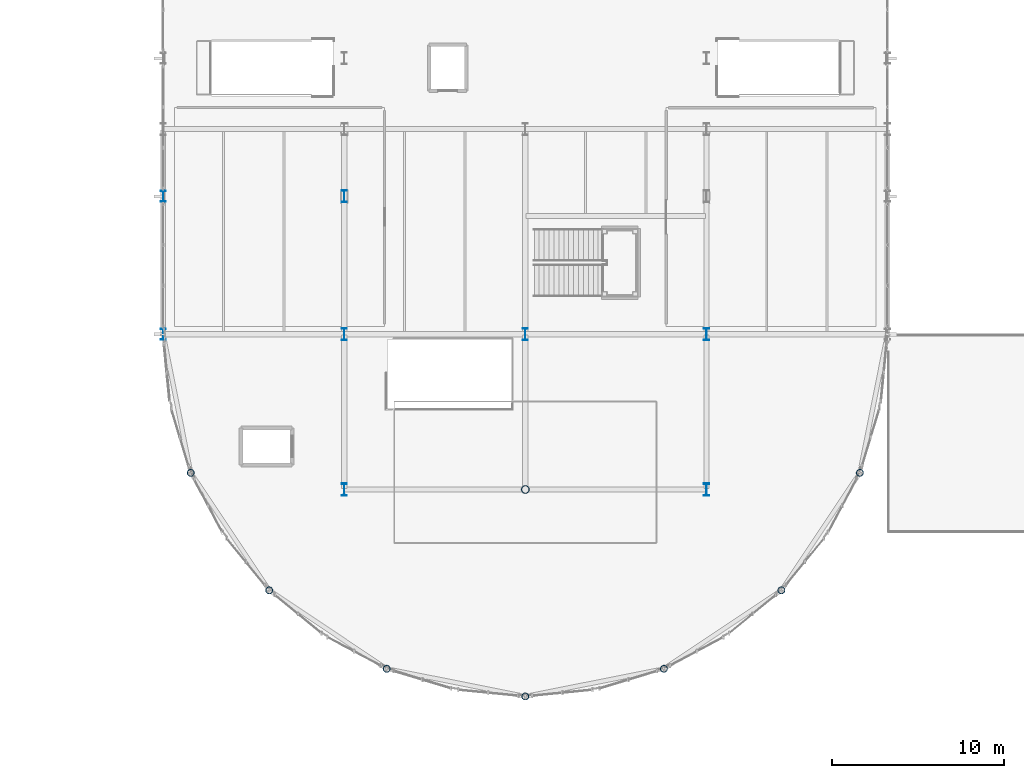
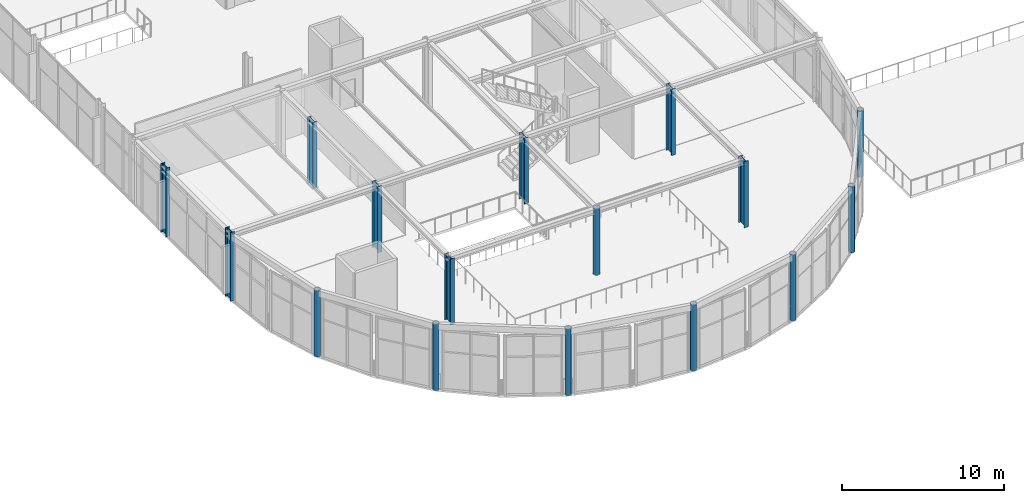
# One storey, part 1 of 195: 16 columns.
"""IFC4 building model written with IfcOpenShell, lengths in metres."""

from ifc_helpers import new_model, si_unit, direction, frame, origin, origin_2d, place, context, subcontext, project, spatial, hollow_circle, i_section, extrude, material, material_profile, profile_set, type_object, element, save


model = new_model("IFC4")

# Units and contexts
model_context = context("Model", 3, precision=1e-05, world=origin(), true_north=direction((0.0, 1.0)))
body_context = subcontext(model_context, "Body", "Model", "MODEL_VIEW")
ifc_project = project(units=[si_unit("LENGTHUNIT", "METRE"), si_unit("AREAUNIT", "SQUARE_METRE"), si_unit("VOLUMEUNIT", "CUBIC_METRE"), si_unit("PLANEANGLEUNIT", "RADIAN"), si_unit("MASSUNIT", "GRAM", prefix="KILO")], contexts=[model_context])

# Site, building, storey
site_placement = place(None, origin())
site = spatial("IfcSite", under=ifc_project, at=site_placement, CompositionType="ELEMENT")
building_placement = place(site_placement, origin())
building = spatial("IfcBuilding", under=site, at=building_placement, Name="Marlcrest Central Station", CompositionType="ELEMENT")
storey_placement = place(building_placement, frame((0.0, 0.0, 9.800048828125)))
storey = spatial("IfcBuildingStorey", under=building, at=storey_placement, Name="L02", CompositionType="ELEMENT", Elevation=9.800048828125)

# Columns
ifc_material = material(Name="Steel S355", Category="steel")
ifc_material_profile_1 = material_profile(ifc_material, i_section(OverallWidth=0.300048828125, OverallDepth=0.64990234375, WebThickness=0.01611328125, FlangeThickness=0.031005859375, FilletRadius=0.027099609375, at=origin_2d()), Name="HEB 650")
ifc_profile_set_1 = profile_set([ifc_material_profile_1], Name="Steel S355")
column_type_1 = type_object("IfcColumnType", Name="SC-06", PredefinedType="COLUMN", material=ifc_profile_set_1)
for number, where, z_axis, x_axis, name in (
    (1, (87.0, 22.5, 0.0), (0.0, 0.0, 1.0), (1.0, 0.0, 0.0), "col-SC-06-L02-0677"),
    (2, (87.0, 30.5, 0.0), (0.0, 0.0, 1.0), (1.0, 0.0, 0.0), "col-SC-06-L02-0695"),
):
    element("IfcColumn", number, at=place(storey_placement, frame(where, z_axis=z_axis, x_axis=x_axis)), inside=storey, type_object=column_type_1, Name=name, PredefinedType="COLUMN", context=body_context, shape_type="SweptSolid", body=[
        extrude(i_section(OverallWidth=0.300048828125, OverallDepth=0.64990234375, WebThickness=0.01611328125, FlangeThickness=0.031005859375, FilletRadius=0.027099609375, at=origin_2d()), origin(), (0.0, 0.0, 1.0), 5.199951171875),
    ])
ifc_material_profile_2 = material_profile(ifc_material, i_section(OverallWidth=0.300048828125, OverallDepth=0.699951171875, WebThickness=0.01708984375, FlangeThickness=0.031982421875, FilletRadius=0.027099609375, at=origin_2d()), Name="HEB 700")
ifc_profile_set_2 = profile_set([ifc_material_profile_2], Name="Steel S355")
column_type_2 = type_object("IfcColumnType", Name="SC-07", PredefinedType="COLUMN", material=ifc_profile_set_2)
for number, where, z_axis, x_axis, name in (
    (3, (97.5, 22.5, 0.0), (0.0, 0.0, 1.0), (1.0, 0.0, 0.0), "col-SC-07-L02-0679"),
    (4, (118.5, 22.5, 0.0), (0.0, 0.0, 1.0), (1.0, 0.0, 0.0), "col-SC-07-L02-0681"),
    (5, (97.5, 30.5, 0.0), (0.0, 0.0, 1.0), (1.0, 0.0, 0.0), "col-SC-07-L02-0697"),
):
    element("IfcColumn", number, at=place(storey_placement, frame(where, z_axis=z_axis, x_axis=x_axis)), inside=storey, type_object=column_type_2, Name=name, PredefinedType="COLUMN", context=body_context, shape_type="SweptSolid", body=[
        extrude(i_section(OverallWidth=0.300048828125, OverallDepth=0.699951171875, WebThickness=0.01708984375, FlangeThickness=0.031982421875, FilletRadius=0.027099609375, at=origin_2d()), origin(), (0.0, 0.0, 1.0), 5.0),
    ])
for number, where, z_axis, x_axis, name in (
    (6, (97.5, 13.5, 0.0), (0.0, 0.0, 1.0), (1.0, 0.0, 0.0), "col-SC-07-L02-0817"),
    (7, (118.5, 13.5, 0.0), (0.0, 0.0, 1.0), (1.0, 0.0, 0.0), "col-SC-07-L02-0825"),
    (8, (108.0, 22.5, 0.0), (0.0, 0.0, 1.0), (1.0, 0.0, 0.0), "col-SC-07-L02-0827"),
):
    element("IfcColumn", number, at=place(storey_placement, frame(where, z_axis=z_axis, x_axis=x_axis)), inside=storey, type_object=column_type_2, Name=name, PredefinedType="COLUMN", context=body_context, shape_type="SweptSolid", body=[
        extrude(i_section(OverallWidth=0.300048828125, OverallDepth=0.699951171875, WebThickness=0.01708984375, FlangeThickness=0.031982421875, FilletRadius=0.027099609375, at=origin_2d()), origin(), (0.0, 0.0, 1.0), 4.994873046875),
    ])
ifc_material_profile_3 = material_profile(ifc_material, hollow_circle(Radius=0.203125, WallThickness=0.02001953125, at=origin_2d()), Name="CHS 406.4x20")
ifc_profile_set_3 = profile_set([ifc_material_profile_3], Name="Steel S355")
column_type_3 = type_object("IfcColumnType", Name="SC-10", PredefinedType="COLUMN", material=ifc_profile_set_3)
for number, where, z_axis, x_axis, name in (
    (9, (88.59912109375, 14.464111328125, 0.0), (0.0, 0.0, 1.0), (1.0, 0.0, 0.0), "col-SC-10-L02-0789"),
    (10, (93.15087890625, 7.65087890625, 0.0), (0.0, 0.0, 1.0), (1.0, 0.0, 0.0), "col-SC-10-L02-0793"),
    (11, (99.964111328125, 3.09912109375, 0.0), (0.0, 0.0, 1.0), (1.0, 0.0, 0.0), "col-SC-10-L02-0797"),
    (12, (108.0, 1.5, 0.0), (0.0, 0.0, 1.0), (1.0, 0.0, 0.0), "col-SC-10-L02-0801"),
    (13, (116.035888671875, 3.09912109375, 0.0), (0.0, 0.0, 1.0), (1.0, 0.0, 0.0), "col-SC-10-L02-0805"),
    (14, (122.84912109375, 7.65087890625, 0.0), (0.0, 0.0, 1.0), (1.0, 0.0, 0.0), "col-SC-10-L02-0809"),
    (15, (127.40087890625, 14.464111328125, 0.0), (0.0, 0.0, 1.0), (1.0, 0.0, 0.0), "col-SC-10-L02-0813"),
):
    element("IfcColumn", number, at=place(storey_placement, frame(where, z_axis=z_axis, x_axis=x_axis)), inside=storey, type_object=column_type_3, Name=name, PredefinedType="COLUMN", context=body_context, shape_type="SweptSolid", body=[
        extrude(hollow_circle(Radius=0.203125, WallThickness=0.02001953125, at=origin_2d()), origin(), (0.0, 0.0, 1.0), 5.010009765625),
    ])
ifc_material_profile_4 = material_profile(ifc_material, hollow_circle(Radius=0.228515625, WallThickness=0.02001953125, at=origin_2d()), Name="CHS 457x20")
ifc_profile_set_4 = profile_set([ifc_material_profile_4], Name="Steel S355")
column_type_4 = type_object("IfcColumnType", Name="SC-11", PredefinedType="COLUMN", material=ifc_profile_set_4)
column_placement = place(storey_placement, frame((108.0, 13.5, 0.0), z_axis=(0.0, 0.0, 1.0), x_axis=(1.0, 0.0, 0.0)))
element("IfcColumn", 16, at=column_placement, inside=storey, type_object=column_type_4, Name="col-SC-11-L02-0821", PredefinedType="COLUMN", context=body_context, shape_type="SweptSolid", body=[
    extrude(hollow_circle(Radius=0.228515625, WallThickness=0.02001953125, at=origin_2d()), origin(), (0.0, 0.0, 1.0), 4.994873046875),
])

save(model, "model.ifc")
